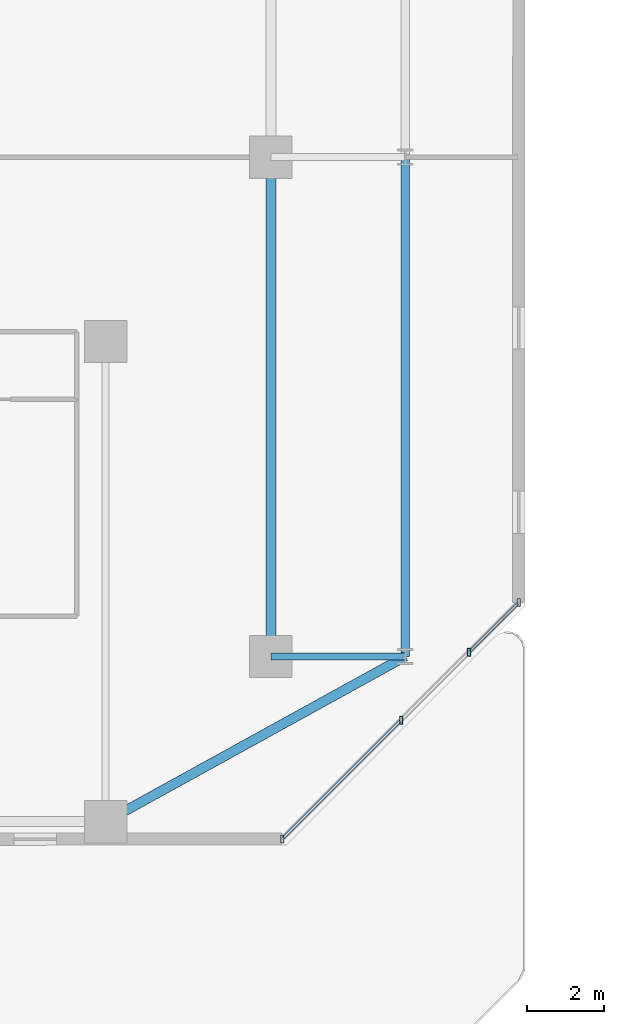
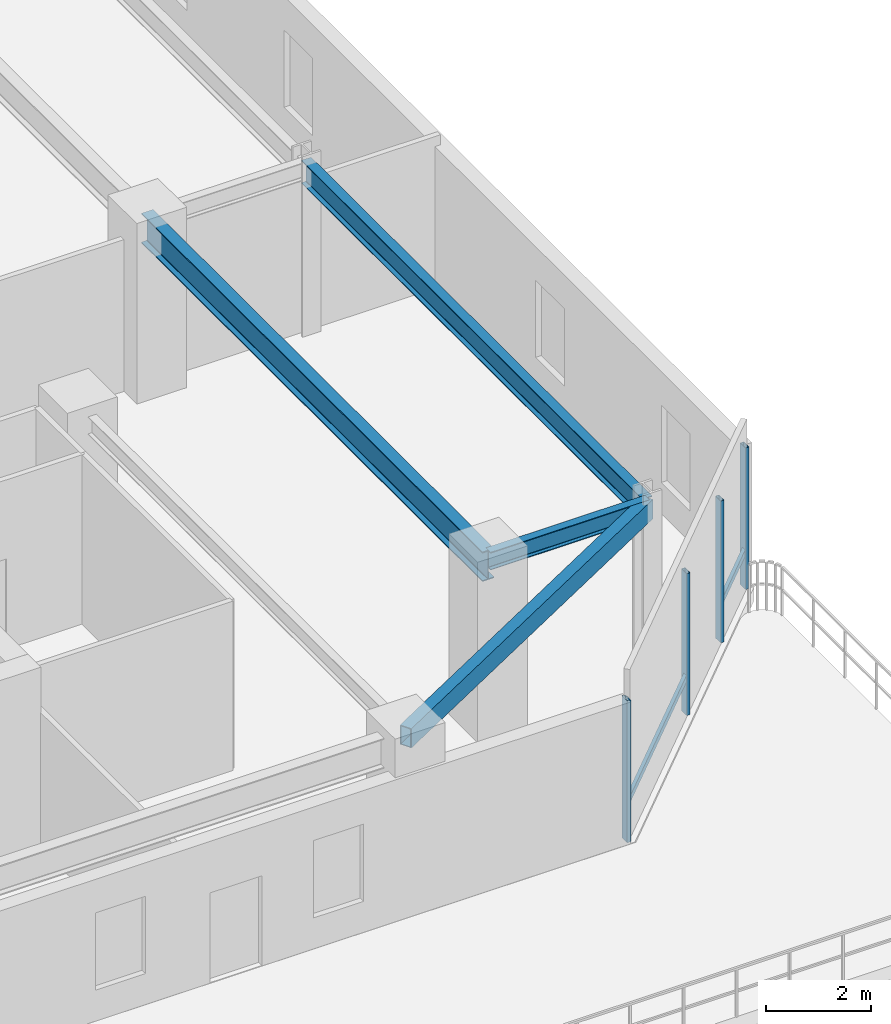
# One storey, part 5 of 33: 6 members, 4 beams, 2 elements without a shape of their own.
"""IFC4 building model written with IfcOpenShell, lengths in metres."""

from ifc_helpers import new_model, si_unit, direction, frame, origin, origin_2d, place, context, subcontext, project, spatial, hollow_rectangle, i_section, extrude, material, material_profile, profile_set, type_object, element, aggregate, save


model = new_model("IFC4")

# Units and contexts
model_context = context("Model", 3, precision=1e-05, world=origin(), true_north=direction((0.0, 1.0)))
body_context = subcontext(model_context, "Body", "Model", "MODEL_VIEW")
ifc_project = project(units=[si_unit("LENGTHUNIT", "METRE"), si_unit("AREAUNIT", "SQUARE_METRE"), si_unit("VOLUMEUNIT", "CUBIC_METRE"), si_unit("PLANEANGLEUNIT", "RADIAN"), si_unit("MASSUNIT", "GRAM", prefix="KILO")], contexts=[model_context])

# Site, building, storey
site_placement = place(None, origin())
site = spatial("IfcSite", under=ifc_project, at=site_placement, CompositionType="ELEMENT")
building_placement = place(site_placement, origin())
building = spatial("IfcBuilding", under=site, at=building_placement, Name="Thornwick Lancets Civic Towers", CompositionType="ELEMENT")
storey_placement = place(building_placement, frame((0.0, 0.0, 174.300048828125)))
storey = spatial("IfcBuildingStorey", under=building, at=storey_placement, Name="L46", CompositionType="ELEMENT", Elevation=174.300048828125)

# Beams
ifc_material_1 = material(Name="Steel S355JR", Category="steel")
ifc_material_profile_1 = material_profile(ifc_material_1, i_section(OverallWidth=0.210693359375, OverallDepth=0.53955078125, WebThickness=0.01171875, FlangeThickness=0.018798828125, FilletRadius=0.0126953125, at=origin_2d()), Name="UKB 533x210x109")
ifc_profile_set_1 = profile_set([ifc_material_profile_1], Name="Steel S355JR")
beam_type_1 = type_object("IfcBeamType", Name="BM_EDGE_533_109", PredefinedType="SPANDREL", material=ifc_profile_set_1)
beam_1_placement = place(storey_placement, frame((46.300048828125, 14.0, 3.690185546875), z_axis=(0.0, 1.0, 0.0), x_axis=(-1.0, 0.0, 0.0)))
element("IfcBeam", 1, at=beam_1_placement, inside=storey, type_object=beam_type_1, Name="BM-EDGE-L46-A-S1-1", PredefinedType="SPANDREL", context=body_context, shape_type="SweptSolid", body=[
    extrude(i_section(OverallWidth=0.210693359375, OverallDepth=0.53955078125, WebThickness=0.01171875, FlangeThickness=0.018798828125, FilletRadius=0.0126953125, at=origin_2d()), origin(), (0.0, 0.0, 1.0), 13.0),
])
ifc_material_profile_2 = material_profile(ifc_material_1, i_section(OverallWidth=0.255859375, OverallDepth=0.69287109375, WebThickness=0.014404296875, FlangeThickness=0.023681640625, FilletRadius=0.01513671875, at=origin_2d()), Name="UKB 686x254x170")
ifc_profile_set_2 = profile_set([ifc_material_profile_2], Name="Steel S355JR")
beam_type_2 = type_object("IfcBeamType", Name="BM_GIRD_686_170", PredefinedType="BEAM", material=ifc_profile_set_2)
beam_2_placement = place(storey_placement, frame((42.800048828125, 14.0, 3.613525390625), z_axis=(0.0, 1.0, 0.0), x_axis=(-1.0, 0.0, 0.0)))
element("IfcBeam", 2, at=beam_2_placement, inside=storey, type_object=beam_type_2, Name="BM-SPINE-L46-A-3-4", PredefinedType="BEAM", context=body_context, shape_type="SweptSolid", body=[
    extrude(i_section(OverallWidth=0.255859375, OverallDepth=0.69287109375, WebThickness=0.014404296875, FlangeThickness=0.023681640625, FilletRadius=0.01513671875, at=origin_2d()), origin(), (0.0, 0.0, 1.0), 13.0),
])
ifc_material_profile_3 = material_profile(ifc_material_1, i_section(OverallWidth=0.179443359375, OverallDepth=0.412841796875, WebThickness=0.009521484375, FlangeThickness=0.01611328125, FilletRadius=0.01025390625, at=origin_2d()), Name="UKB 406x178x74")
ifc_profile_set_3 = profile_set([ifc_material_profile_3], Name="Steel S355JR")
beam_type_3 = type_object("IfcBeamType", Name="BM_JOIST_406_74", PredefinedType="JOIST", material=ifc_profile_set_3)
beam_3_placement = place(storey_placement, frame((42.800048828125, 14.0, 3.753662109375), z_axis=(1.0, 0.0, 0.0), x_axis=(0.0, 1.0, 0.0)))
element("IfcBeam", 3, at=beam_3_placement, inside=storey, type_object=beam_type_3, Name="BM-RAD-L46-A04", PredefinedType="JOIST", context=body_context, shape_type="SweptSolid", body=[
    extrude(i_section(OverallWidth=0.179443359375, OverallDepth=0.412841796875, WebThickness=0.009521484375, FlangeThickness=0.01611328125, FilletRadius=0.01025390625, at=origin_2d()), origin(), (0.0, 0.0, 1.0), 3.5),
])
ifc_material_profile_4 = material_profile(ifc_material_1, hollow_rectangle(XDim=0.25, YDim=0.449951171875, WallThickness=0.01611328125, at=origin_2d()), Name="RHS 450x250x16")
ifc_profile_set_4 = profile_set([ifc_material_profile_4], Name="Steel S355JR")
beam_type_4 = type_object("IfcBeamType", Name="BM_RING_RHS450", PredefinedType="BEAM", material=ifc_profile_set_4)
beam_4_placement = place(storey_placement, frame((38.5, 9.699951171875, 3.73486328125), z_axis=(0.875740348708, 0.482782395749, 0.0), x_axis=(-0.482782395749, 0.875740348708, 0.0)))
element("IfcBeam", 4, at=beam_4_placement, inside=storey, type_object=beam_type_4, Name="BM-CHAMF-L46-A-C0", PredefinedType="BEAM", context=body_context, shape_type="SweptSolid", body=[
    extrude(hollow_rectangle(XDim=0.25, YDim=0.449951171875, WallThickness=0.01611328125, at=origin_2d()), origin(), (0.0, 0.0, 1.0), 8.90673828125),
])

# Curtain wall, members
ifc_material_2 = material(Name="Mid-zone chamfered-corner unitised glass curtain wall", Category="glass")
curtain_wall_type = type_object("IfcCurtainWallType", Name="CW_SYS_04", PredefinedType="NOTDEFINED", material=ifc_material_2)
curtain_wall_1_placement = place(storey_placement, origin())
curtain_wall_1 = element("IfcCurtainWall", 5, at=curtain_wall_1_placement, inside=storey, type_object=curtain_wall_type, Name="L46 Curtain Wall CW-L46-A-E1-S1", PredefinedType="NOTDEFINED")
ifc_material_3 = material(Name="Thermally broken bronze aluminium S355", Category="steel")
ifc_material_profile_5 = material_profile(ifc_material_3, hollow_rectangle(XDim=0.080078125, YDim=0.199951171875, WallThickness=0.006103515625, at=origin_2d()), Name="RHS 200x80x6")
ifc_profile_set_5 = profile_set([ifc_material_profile_5], Name="Thermally broken bronze aluminium S355")
member_type_1 = type_object("IfcMemberType", Name="CW_MUL_200", PredefinedType="MULLION", material=ifc_profile_set_5)
member_1_placement = place(storey_placement, frame((43.096435546875, 9.247314453125, 0.0), z_axis=(0.0, 0.0, 1.0), x_axis=(1.0, 0.0, 0.0)))
member_1 = element("IfcMember", 6, at=member_1_placement, type_object=member_type_1, Name="CW-L46-A-E1-S1 Mullion 0", PredefinedType="MULLION", context=body_context, shape_type="SweptSolid", body=[
    extrude(hollow_rectangle(XDim=0.080078125, YDim=0.199951171875, WallThickness=0.006103515625, at=origin_2d()), origin(), (0.0, 0.0, 1.0), 3.300048828125),
])
member_2_placement = place(storey_placement, frame((46.190673828125, 12.341552734375, 0.0), z_axis=(0.0, 0.0, 1.0), x_axis=(1.0, 0.0, 0.0)))
member_2 = element("IfcMember", 7, at=member_2_placement, type_object=member_type_1, Name="CW-L46-A-E1-S1 Mullion 1", PredefinedType="MULLION", context=body_context, shape_type="SweptSolid", body=[
    extrude(hollow_rectangle(XDim=0.080078125, YDim=0.199951171875, WallThickness=0.006103515625, at=origin_2d()), origin(), (0.0, 0.0, 1.0), 3.300048828125),
])

curtain_wall_2_placement = place(storey_placement, origin())
curtain_wall_2 = element("IfcCurtainWall", 8, at=curtain_wall_2_placement, inside=storey, type_object=curtain_wall_type, Name="L46 Curtain Wall CW-L46-A-E1-S2", PredefinedType="NOTDEFINED")
member_3_placement = place(storey_placement, frame((47.95849609375, 14.109375, 0.0), z_axis=(0.0, 0.0, 1.0), x_axis=(1.0, 0.0, 0.0)))
member_3 = element("IfcMember", 9, at=member_3_placement, type_object=member_type_1, Name="CW-L46-A-E1-S2 Mullion 0", PredefinedType="MULLION", context=body_context, shape_type="SweptSolid", body=[
    extrude(hollow_rectangle(XDim=0.080078125, YDim=0.199951171875, WallThickness=0.006103515625, at=origin_2d()), origin(), (0.0, 0.0, 1.0), 3.300048828125),
])
member_4_placement = place(storey_placement, frame((49.252685546875, 15.403564453125, 0.0), z_axis=(0.0, 0.0, 1.0), x_axis=(1.0, 0.0, 0.0)))
member_4 = element("IfcMember", 10, at=member_4_placement, type_object=member_type_1, Name="CW-L46-A-E1-S2 Mullion 1", PredefinedType="MULLION", context=body_context, shape_type="SweptSolid", body=[
    extrude(hollow_rectangle(XDim=0.080078125, YDim=0.199951171875, WallThickness=0.006103515625, at=origin_2d()), origin(), (0.0, 0.0, 1.0), 3.300048828125),
])

# Member
ifc_material_profile_6 = material_profile(ifc_material_3, hollow_rectangle(XDim=0.074951171875, YDim=0.14990234375, WallThickness=0.0048828125, at=origin_2d()), Name="RHS 150x75x5")
ifc_profile_set_6 = profile_set([ifc_material_profile_6], Name="Thermally broken bronze aluminium S355")
member_type_2 = type_object("IfcMemberType", Name="CW_TRN_150", PredefinedType="USERDEFINED", material=ifc_profile_set_6)
member_5_placement = place(storey_placement, frame((43.110595703125, 9.26123046875, 0.849853515625), z_axis=(0.707078628109, 0.707134933144, 0.0), x_axis=(-0.707134933144, 0.707078628109, 0.0)))
member_5 = element("IfcMember", 11, at=member_5_placement, type_object=member_type_2, Name="CW-L46-A-E1-S1 Transom 0", ObjectType="TRANSOM", PredefinedType="USERDEFINED", context=body_context, shape_type="SweptSolid", body=[
    extrude(hollow_rectangle(XDim=0.074951171875, YDim=0.14990234375, WallThickness=0.0048828125, at=origin_2d()), origin(), (0.0, 0.0, 1.0), 4.3359375),
])

aggregate(curtain_wall_1, [member_1, member_2, member_5])

member_6_placement = place(storey_placement, frame((47.97265625, 14.123291015625, 0.849853515625), z_axis=(0.707106781187, 0.707106781187, 0.0), x_axis=(-0.707106781187, 0.707106781187, 0.0)))
member_6 = element("IfcMember", 12, at=member_6_placement, type_object=member_type_2, Name="CW-L46-A-E1-S2 Transom 0", ObjectType="TRANSOM", PredefinedType="USERDEFINED", context=body_context, shape_type="SweptSolid", body=[
    extrude(hollow_rectangle(XDim=0.074951171875, YDim=0.14990234375, WallThickness=0.0048828125, at=origin_2d()), origin(), (0.0, 0.0, 1.0), 1.79052734375),
])

aggregate(curtain_wall_2, [member_3, member_4, member_6])

save(model, "model.ifc")
